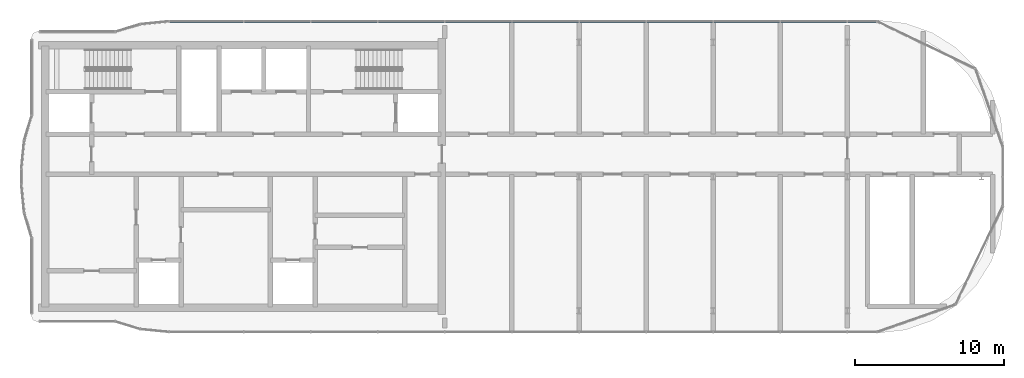
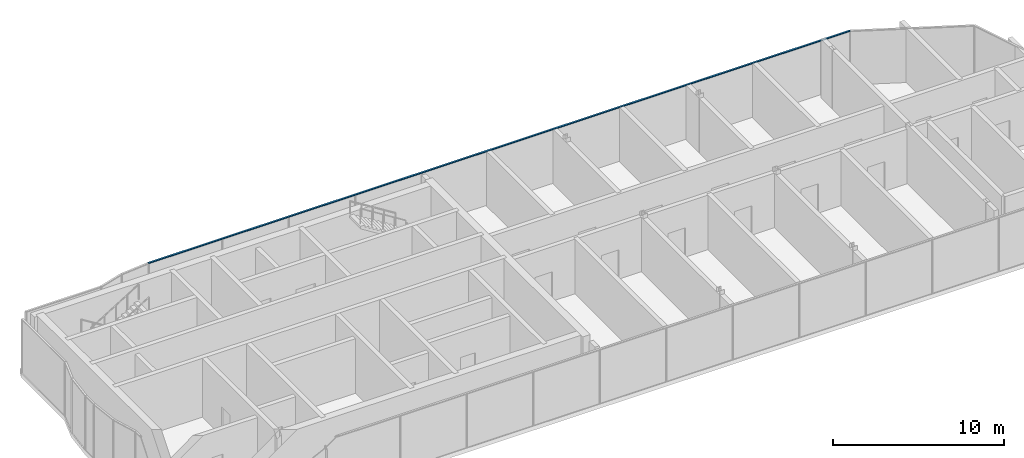
# One storey, part 8 of 14: 1 member, 1 element without a shape of its own.
"""IFC4 building model written with IfcOpenShell, lengths in metres."""

from ifc_helpers import new_model, si_unit, direction, frame, origin, origin_2d, place, context, subcontext, project, spatial, rectangle, extrude, material, material_profile, profile_set, type_object, element, aggregate, save


model = new_model("IFC4")

# Units and contexts
model_context = context("Model", 3, precision=1e-05, world=origin(), true_north=direction((0.0, 1.0)))
body_context = subcontext(model_context, "Body", "Model", "MODEL_VIEW")
ifc_project = project(units=[si_unit("LENGTHUNIT", "METRE"), si_unit("AREAUNIT", "SQUARE_METRE"), si_unit("VOLUMEUNIT", "CUBIC_METRE"), si_unit("PLANEANGLEUNIT", "RADIAN"), si_unit("MASSUNIT", "GRAM", prefix="KILO")], contexts=[model_context])

# Site, building, storey
site_placement = place(None, origin())
site = spatial("IfcSite", under=ifc_project, at=site_placement, CompositionType="ELEMENT")
building_placement = place(site_placement, origin())
building = spatial("IfcBuilding", under=site, at=building_placement, Name="Ogive Portal Towers", CompositionType="ELEMENT")
storey_placement = place(building_placement, frame((0.0, 0.0, 277.10009765625)))
storey = spatial("IfcBuildingStorey", under=building, at=storey_placement, Name="L67", CompositionType="ELEMENT", Elevation=277.10009765625)

# Curtain wall, member
ifc_material_1 = material(Name="Glass, clear low-iron insulated glazing", Category="glass")
curtain_wall_type = type_object("IfcCurtainWallType", Name="CW CROWN GLAZING", PredefinedType="NOTDEFINED", material=ifc_material_1)
curtain_wall_placement = place(storey_placement, origin())
curtain_wall = element("IfcCurtainWall", 1, at=curtain_wall_placement, inside=storey, type_object=curtain_wall_type, Name="A:L67:c12:cw", PredefinedType="NOTDEFINED")
ifc_material_2 = material(Name="Aluminium 6063 anodised", Category="aluminium")
ifc_material_profile = material_profile(ifc_material_2, rectangle(XDim=0.1201171875, YDim=0.06005859375, at=origin_2d()), Name="AL 120x60")
ifc_profile_set = profile_set([ifc_material_profile], Name="Aluminium 6063 anodised")
member_type = type_object("IfcMemberType", Name="CW TRANSOM 60x120", PredefinedType="USERDEFINED", material=ifc_profile_set)
member_placement = place(storey_placement, frame((87.481689453125, 40.919921875, 3.869873046875), z_axis=(-1.0, 0.0, 0.0), x_axis=(0.0, -1.0, 0.0)))
member = element("IfcMember", 2, at=member_placement, type_object=member_type, Name="transom", ObjectType="TRANSOM", PredefinedType="USERDEFINED", context=body_context, shape_type="SweptSolid", body=[
    extrude(rectangle(XDim=0.1201171875, YDim=0.06005859375, at=origin_2d()), origin(), (0.0, 0.0, 1.0), 47.477783203125),
])
aggregate(curtain_wall, [member])

save(model, "model.ifc")
